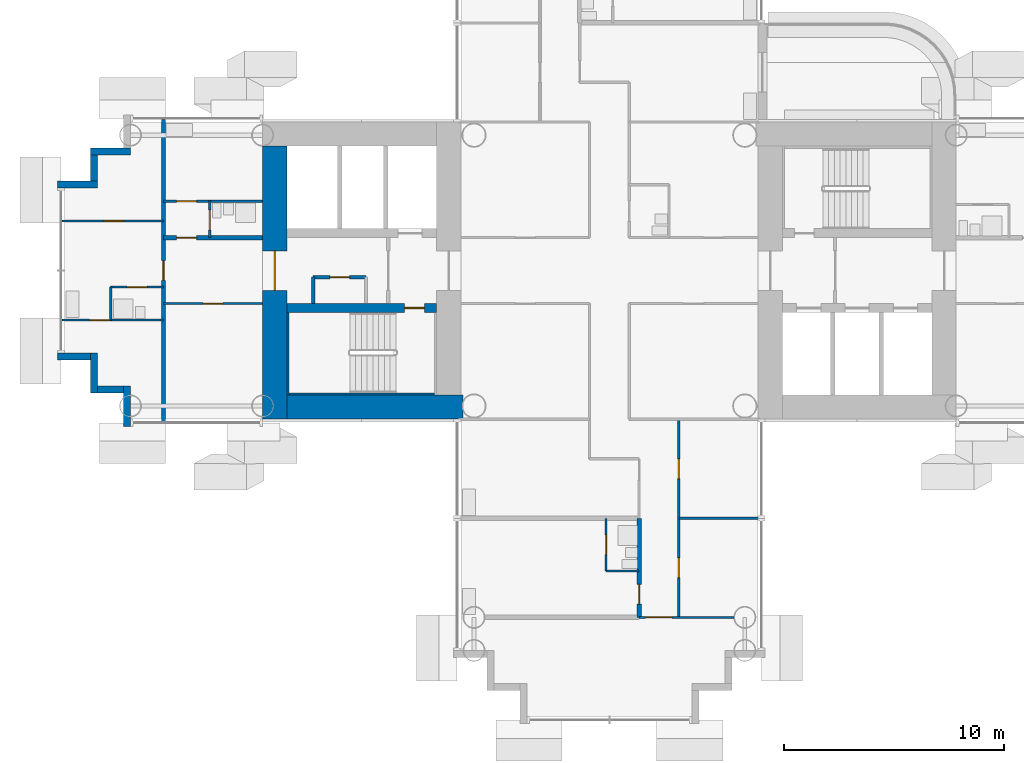
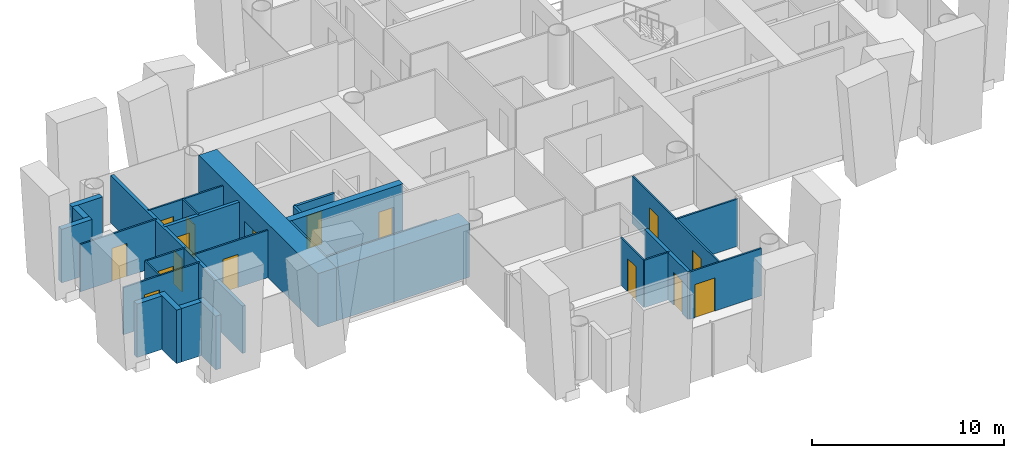
# One storey, part 10 of 23: 29 walls, 16 doors, 16 openings.
"""IFC4 building model written with IfcOpenShell, lengths in metres."""

import ifcopenshell
import ifcopenshell.guid

model = None  # the IFC model being written
_history = None  # IfcOwnerHistory: only IFC2X3 demands one
_inside = {}  # id of a spatial element -> (the spatial element, [elements in it])
_under = {}  # id of a project, library or spatial element -> (it, [spatial elements below it])
_declared = {}  # id of a project -> (the project, [libraries it declares])
_typed = {}  # id of a type object -> (the type object, [elements of that type])
_made_of = {}  # id of a material, layer set ... -> (it, [elements and type objects made of it])


def new_model(schema):
    """Start an empty IFC model of exactly this schema.

    Asked for "IFC4X3", IfcOpenShell would pick the latest addendum, in which some entities
    have other attributes; the version numbers below select the first issue.
    IFC2X3 requires an IfcOwnerHistory on every rooted entity: one is made here for all.
    """
    global model, _history
    if schema == "IFC4X3":
        model = ifcopenshell.file(schema_version=(4, 3, 0, 0))
    else:
        model = ifcopenshell.file(schema=schema)
    _inside.clear()
    _under.clear()
    _declared.clear()
    _typed.clear()
    _made_of.clear()
    _history = None
    if model.schema == "IFC2X3":
        org = make("IfcOrganization", Name="unknown")
        user = make(
            "IfcPersonAndOrganization",
            ThePerson=make("IfcPerson", FamilyName="unknown"),
            TheOrganization=org,
        )
        app = make(
            "IfcApplication",
            ApplicationDeveloper=org,
            Version="unknown",
            ApplicationFullName="unknown",
            ApplicationIdentifier="unknown",
        )
        _history = make(
            "IfcOwnerHistory",
            OwningUser=user,
            OwningApplication=app,
            ChangeAction="ADDED",
            CreationDate=0,
        )
    return model


def make(cls, **values):
    """One entity of the class cls with the attributes given. An attribute that is None is left unset."""
    return model.create_entity(
        cls, **{name: value for name, value in values.items() if value is not None}
    )


def rooted(cls, **values):
    """An entity with a GlobalId (a new one), such as an element, a storey or a relation."""
    return make(cls, GlobalId=ifcopenshell.guid.new(), OwnerHistory=_history, **values)


def si_unit(unit_type, name, prefix=None):
    """IfcSIUnit, for example si_unit("LENGTHUNIT", "METRE", prefix="MILLI")."""
    return make("IfcSIUnit", UnitType=unit_type, Prefix=prefix, Name=name)


def assignment(units):
    """IfcUnitAssignment: the units of a project."""
    return None if units is None else make("IfcUnitAssignment", Units=units)


def point(xyz):
    """IfcCartesianPoint."""
    return None if xyz is None else make("IfcCartesianPoint", Coordinates=xyz)


def direction(xyz):
    """IfcDirection."""
    return None if xyz is None else make("IfcDirection", DirectionRatios=xyz)


def frame(location, z_axis=None, x_axis=None):
    """IfcAxis2Placement3D, a coordinate frame: its origin and axes. An axis left out is left unset."""
    return make(
        "IfcAxis2Placement3D",
        Location=point(location),
        Axis=direction(z_axis),
        RefDirection=direction(x_axis),
    )


def frame_2d(location, x_axis=None):
    """IfcAxis2Placement2D, a coordinate frame in the plane: its origin and x axis."""
    return make(
        "IfcAxis2Placement2D", Location=point(location), RefDirection=direction(x_axis)
    )


def origin():
    """The frame at (0, 0, 0) with its axes left unset."""
    return frame((0.0, 0.0, 0.0))


def place(relative_to, where):
    """IfcLocalPlacement: puts the frame where relative to a parent placement (None: the world)."""
    return make(
        "IfcLocalPlacement", PlacementRelTo=relative_to, RelativePlacement=where
    )


def context(
    kind, dimensions, precision=None, world=None, true_north=None, identifier=None
):
    """IfcGeometricRepresentationContext, for example the 3D "Model" context."""
    return make(
        "IfcGeometricRepresentationContext",
        ContextIdentifier=identifier,
        ContextType=kind,
        CoordinateSpaceDimension=dimensions,
        Precision=precision,
        WorldCoordinateSystem=world,
        TrueNorth=true_north,
    )


def subcontext(parent, identifier, kind, view, scale=None):
    """IfcGeometricRepresentationSubContext, for example "Body" below "Model"."""
    return make(
        "IfcGeometricRepresentationSubContext",
        ContextIdentifier=identifier,
        ContextType=kind,
        ParentContext=parent,
        TargetScale=scale,
        TargetView=view,
    )


def project(units=None, contexts=None):
    """IfcProject with its units and contexts."""
    return rooted(
        "IfcProject",
        Name="project",
        RepresentationContexts=contexts,
        UnitsInContext=assignment(units),
    )


def spatial(cls, under=None, at=None, **own):
    """A site, building, storey or space (cls), placed at a placement, below another one or the project."""
    s = rooted(cls, ObjectPlacement=at, **own)
    if under is not None:
        _under.setdefault(under.id(), (under, []))[1].append(s)
    return s


def profile(cls, at=None, kind="AREA", **sizes):
    """A parametric profile (cls). Its sizes go by their IFC names, for example OverallWidth=200.0."""
    return make(cls, ProfileType=kind, Position=at, **sizes)


def rectangle(**sizes):
    """IfcRectangleProfileDef."""
    return profile("IfcRectangleProfileDef", **sizes)


def extrude(swept, where, along, depth):
    """IfcExtrudedAreaSolid: the profile swept, set in the frame where, extruded along a direction by depth."""
    return make(
        "IfcExtrudedAreaSolid",
        SweptArea=swept,
        Position=where,
        ExtrudedDirection=direction(along),
        Depth=depth,
    )


def shape(context_of_items, identifier, shape_type, items):
    """IfcShapeRepresentation: the items that make up one representation, for example the "Body"."""
    return make(
        "IfcShapeRepresentation",
        ContextOfItems=context_of_items,
        RepresentationIdentifier=identifier,
        RepresentationType=shape_type,
        Items=items,
    )


def material(Name=None, Category=None):
    """IfcMaterial."""
    return make("IfcMaterial", Name=Name, Category=Category)


def layer(
    of_material, thickness, ventilated=None, Name=None, Category=None, Priority=None
):
    """IfcMaterialLayer: one layer of a wall or slab, of a material (None: an air gap)."""
    return make(
        "IfcMaterialLayer",
        Material=of_material,
        LayerThickness=thickness,
        IsVentilated=ventilated,
        Name=Name,
        Category=Category,
        Priority=Priority,
    )


def layer_set(layers, Name=None):
    """IfcMaterialLayerSet."""
    return make("IfcMaterialLayerSet", MaterialLayers=layers, LayerSetName=Name)


def made_of(thing, what):
    """Note that an element or type object is made of a material, layer set ...; save() writes the relation."""
    if what is not None:
        _made_of.setdefault(what.id(), (what, []))[1].append(thing)
    return thing


def type_object(cls, material=None, **own):
    """A type object (cls), such as IfcWallType, which elements share."""
    return made_of(rooted(cls, **own), material)


def element(
    cls,
    number,
    at=None,
    inside=None,
    cuts=None,
    type_object=None,
    material=None,
    context=None,
    identifier="Body",
    shape_type=None,
    held_by="IfcProductDefinitionShape",
    body=None,
    shapes=None,
    **own,
):
    """One element of the class cls, such as IfcWall. Its Tag is "e" and its number.

    at: its placement. inside: the storey or other place that contains it. cuts: it is an
    opening in that element (IfcRelVoidsElement). A single representation is given by context,
    identifier, shape_type and body (its items); several are given by shapes. held_by: the class
    of the entity that holds the representations. save() writes the other relations.
    """
    e = rooted(cls, Tag="e%d" % number, ObjectPlacement=at, **own)
    if body is not None:
        shapes = [shape(context, identifier, shape_type, body)]
    if shapes is not None:
        e.Representation = make(held_by, Representations=shapes)
    if inside is not None:
        _inside.setdefault(inside.id(), (inside, []))[1].append(e)
    if cuts is not None:
        rooted(
            "IfcRelVoidsElement", RelatingBuildingElement=cuts, RelatedOpeningElement=e
        )
    if type_object is not None:
        _typed.setdefault(type_object.id(), (type_object, []))[1].append(e)
    return made_of(e, material)


def fill(opening, filler):
    """IfcRelFillsElement: the door or window that sits in an opening."""
    return rooted(
        "IfcRelFillsElement",
        RelatingOpeningElement=opening,
        RelatedBuildingElement=filler,
    )


def aggregate(whole, parts):
    """IfcRelAggregates: a whole, such as a stair, and the parts it consists of."""
    return rooted("IfcRelAggregates", RelatingObject=whole, RelatedObjects=parts)


def save(model, path):
    """Write the relations noted so far, then the file.

    IfcRelAggregates (storeys below a building ...), IfcRelContainedInSpatialStructure (elements
    in a storey), IfcRelDefinesByType, IfcRelAssociatesMaterial and IfcRelDeclares: one each for
    every whole, place, type object, material and project.
    """
    for whole, parts in _under.values():
        aggregate(whole, parts)
    for where, things in _inside.values():
        rooted(
            "IfcRelContainedInSpatialStructure",
            RelatedElements=things,
            RelatingStructure=where,
        )
    for kind, things in _typed.values():
        rooted("IfcRelDefinesByType", RelatedObjects=things, RelatingType=kind)
    for what, things in _made_of.values():
        rooted("IfcRelAssociatesMaterial", RelatedObjects=things, RelatingMaterial=what)
    for by, libraries in _declared.values():
        rooted("IfcRelDeclares", RelatingContext=by, RelatedDefinitions=libraries)
    model.write(path)


model = new_model("IFC4")

# Units and contexts
model_context = context("Model", 3, precision=1e-05, world=origin(), true_north=direction((0.0, 1.0)))
body_context = subcontext(model_context, "Body", "Model", "MODEL_VIEW")
ifc_project = project(units=[si_unit("LENGTHUNIT", "METRE"), si_unit("AREAUNIT", "SQUARE_METRE"), si_unit("VOLUMEUNIT", "CUBIC_METRE"), si_unit("PLANEANGLEUNIT", "RADIAN"), si_unit("MASSUNIT", "GRAM", prefix="KILO")], contexts=[model_context])

# Site, building, storey
site_placement = place(None, origin())
site = spatial("IfcSite", under=ifc_project, at=site_placement, CompositionType="ELEMENT")
building_placement = place(site_placement, origin())
building = spatial("IfcBuilding", under=site, at=building_placement, Name="Ipe Terrace Towers", CompositionType="ELEMENT")
storey_placement = place(building_placement, frame((0.0, 0.0, 51.699951171875)))
storey = spatial("IfcBuildingStorey", under=building, at=storey_placement, Name="L13", CompositionType="ELEMENT", Elevation=51.699951171875)

# Walls
ifc_material_1 = material(Name="Concrete C40/50 with buff precast cladding", Category="concrete")
ifc_layer_1 = layer(ifc_material_1, 0.320068359375)
ifc_layer_set_1 = layer_set([ifc_layer_1], Name="BUFF CLADDING WALL 320")
wall_type_1 = type_object("IfcWallType", Name="BUFF CLADDING WALL 320", PredefinedType="STANDARD", material=ifc_layer_set_1)
wall_1_placement = place(storey_placement, frame((-61.070068359375, -3.909912109375, -0.300048828125), z_axis=(0.0, 0.0, 1.0), x_axis=(1.0, 0.0, 0.0)))
element("IfcWall", 1, at=wall_1_placement, inside=storey, type_object=wall_type_1, Name="T1-W-L13-00a wall", PredefinedType="STANDARD", context=body_context, shape_type="SweptSolid", body=[
    extrude(rectangle(XDim=1.5, YDim=0.320068359375, at=frame_2d((0.75, 0.0))), origin(), (0.0, 0.0, 1.0), 3.400146484375),
])
wall_2_placement = place(storey_placement, frame((-59.409912109375, -3.75, -0.300048828125), z_axis=(0.0, 0.0, 1.0), x_axis=(0.0, -1.0, 0.0)))
element("IfcWall", 2, at=wall_2_placement, inside=storey, type_object=wall_type_1, Name="T1-W-L13-01a wall", PredefinedType="STANDARD", context=body_context, shape_type="SweptSolid", body=[
    extrude(rectangle(XDim=1.820068359375, YDim=0.320068359375, at=frame_2d((0.91015625, 0.0))), origin(), (0.0, 0.0, 1.0), 3.400146484375),
])
wall_3_placement = place(storey_placement, frame((-59.25, -5.409912109375, -0.300048828125), z_axis=(0.0, 0.0, 1.0), x_axis=(1.0, 0.0, 0.0)))
element("IfcWall", 3, at=wall_3_placement, inside=storey, type_object=wall_type_1, Name="T1-W-L13-02a wall", PredefinedType="STANDARD", context=body_context, shape_type="SweptSolid", body=[
    extrude(rectangle(XDim=1.179931640625, YDim=0.320068359375, at=frame_2d((0.58984375, 0.0))), origin(), (0.0, 0.0, 1.0), 3.400146484375),
])
for number, where, z_axis, x_axis, name in (
    (4, (-57.909912109375, -5.25, -0.300048828125), (0.0, 0.0, 1.0), (0.0, -1.0, 0.0), "T1-W-L13-03a wall"),
    (5, (-57.75, 5.409912109375, -0.300048828125), (0.0, 0.0, 1.0), (-1.0, 0.0, 0.0), "T1-W-L13-48a wall"),
):
    element("IfcWall", number, at=place(storey_placement, frame(where, z_axis=z_axis, x_axis=x_axis)), inside=storey, type_object=wall_type_1, Name=name, PredefinedType="STANDARD", context=body_context, shape_type="SweptSolid", body=[
        extrude(rectangle(XDim=1.820068359375, YDim=0.320068359375, at=frame_2d((0.91015625, 0.0))), origin(), (0.0, 0.0, 1.0), 3.400146484375),
    ])
wall_4_placement = place(storey_placement, frame((-59.409912109375, 5.25, -0.300048828125), z_axis=(0.0, 0.0, 1.0), x_axis=(0.0, -1.0, 0.0)))
element("IfcWall", 6, at=wall_4_placement, inside=storey, type_object=wall_type_1, Name="T1-W-L13-49a wall", PredefinedType="STANDARD", context=body_context, shape_type="SweptSolid", body=[
    extrude(rectangle(XDim=1.179931640625, YDim=0.320068359375, at=frame_2d((0.58984375, 0.0))), origin(), (0.0, 0.0, 1.0), 3.400146484375),
])
wall_5_placement = place(storey_placement, frame((-59.25, 3.909912109375, -0.300048828125), z_axis=(0.0, 0.0, 1.0), x_axis=(-1.0, 0.0, 0.0)))
element("IfcWall", 7, at=wall_5_placement, inside=storey, type_object=wall_type_1, Name="T1-W-L13-50a wall", PredefinedType="STANDARD", context=body_context, shape_type="SweptSolid", body=[
    extrude(rectangle(XDim=1.820068359375, YDim=0.320068359375, at=frame_2d((0.91015625, 0.0))), origin(), (0.0, 0.0, 1.0), 3.400146484375),
])
ifc_material_2 = material(Name="Gypsum board partition", Category="plasterboard")
ifc_layer_2 = layer(ifc_material_2, 0.10009765625)
ifc_layer_set_2 = layer_set([ifc_layer_2], Name="Gypsum board partition 100 mm")
wall_type_2 = type_object("IfcWallType", Name="Gypsum board partition 100 mm", PredefinedType="PARTITIONING", material=ifc_layer_set_2)
wall_6_placement = place(storey_placement, frame((-58.64990234375, -2.25, 0.0), z_axis=(0.0, 0.0, 1.0), x_axis=(0.0, 1.0, 0.0)))
element("IfcWall", 8, at=wall_6_placement, inside=storey, type_object=wall_type_2, Name="Gypsum board partition T1 L13 W01", PredefinedType="PARTITIONING", context=body_context, shape_type="SweptSolid", body=[
    extrude(rectangle(XDim=1.5, YDim=0.10009765625, at=frame_2d((0.75, 0.0))), origin(), (0.0, 0.0, 1.0), 3.0),
])

# Wall, opening, door
wall_7_placement = place(storey_placement, frame((-54.14990234375, 1.5, 0.0), z_axis=(0.0, 0.0, 1.0), x_axis=(0.0, 1.0, 0.0)))
wall_7 = element("IfcWall", 9, at=wall_7_placement, inside=storey, type_object=wall_type_2, Name="Gypsum board partition T1 L13 W03", PredefinedType="PARTITIONING", context=body_context, shape_type="SweptSolid", body=[
    extrude(rectangle(XDim=1.64990234375, YDim=0.10009765625, at=frame_2d((0.824951171875, 0.0))), origin(), (0.0, 0.0, 1.0), 3.0),
])
opening_1_placement = place(wall_7_placement, frame((0.35009765625, 0.0, 0.0)))
opening_1 = element("IfcOpeningElement", 10, at=opening_1_placement, cuts=wall_7, Name="Opening T1-Z1C-25", PredefinedType="OPENING", context=body_context, shape_type="SweptSolid", body=[
    extrude(rectangle(XDim=0.89990234375, YDim=2.10009765625, at=frame_2d((0.449951171875, 1.050048828125))), frame((0.0, 0.06005859375, 0.0), z_axis=(0.0, -1.0, 0.0), x_axis=(1.0, 0.0, 0.0)), (0.0, 0.0, 1.0), 0.1201171875),
])
ifc_material_3 = material(Name="Timber door leaf", Category="wood")
door_type_1 = type_object("IfcDoorType", Name="Bathroom door 900 x 2100", OperationType="NOTDEFINED", PredefinedType="DOOR", material=ifc_material_3)
door_1_placement = place(opening_1_placement, origin())
door_1 = element("IfcDoor", 11, at=door_1_placement, inside=storey, type_object=door_type_1, Name="Bathroom door T1-Z1C-25", OperationType="SINGLE_SWING_LEFT", OverallHeight=2.10009765625, OverallWidth=0.89990234375, PredefinedType="DOOR", context=body_context, shape_type="SweptSolid", body=[
    extrude(rectangle(XDim=0.89990234375, YDim=2.10009765625, at=frame_2d((0.449951171875, 1.050048828125))), frame((0.0, 0.02490234375, 0.0), z_axis=(0.0, -1.0, 0.0), x_axis=(1.0, 0.0, 0.0)), (0.0, 0.0, 1.0), 0.050048828125),
])
fill(opening_1, door_1)

wall_8_placement = place(storey_placement, frame((-36.14990234375, -13.64990234375, 0.0), z_axis=(0.0, 0.0, 1.0), x_axis=(0.0, 1.0, 0.0)))
wall_8 = element("IfcWall", 12, at=wall_8_placement, inside=storey, type_object=wall_type_2, Name="Gypsum board partition T1 L13 W09", PredefinedType="PARTITIONING", context=body_context, shape_type="SweptSolid", body=[
    extrude(rectangle(XDim=2.39990234375, YDim=0.10009765625, at=frame_2d((1.199951171875, 0.0))), origin(), (0.0, 0.0, 1.0), 3.0),
])
opening_2_placement = place(wall_8_placement, frame((0.75, 0.0, 0.0)))
opening_2 = element("IfcOpeningElement", 13, at=opening_2_placement, cuts=wall_8, Name="Opening T1-Z1C-16", PredefinedType="OPENING", context=body_context, shape_type="SweptSolid", body=[
    extrude(rectangle(XDim=0.89990234375, YDim=2.10009765625, at=frame_2d((0.449951171875, 1.050048828125))), frame((0.0, 0.06005859375, 0.0), z_axis=(0.0, -1.0, 0.0), x_axis=(1.0, 0.0, 0.0)), (0.0, 0.0, 1.0), 0.1201171875),
])
door_2_placement = place(opening_2_placement, origin())
door_2 = element("IfcDoor", 14, at=door_2_placement, inside=storey, type_object=door_type_1, Name="Bathroom door T1-Z1C-16", OperationType="SINGLE_SWING_RIGHT", OverallHeight=2.10009765625, OverallWidth=0.89990234375, PredefinedType="DOOR", context=body_context, shape_type="SweptSolid", body=[
    extrude(rectangle(XDim=0.89990234375, YDim=2.10009765625, at=frame_2d((0.449951171875, 1.050048828125))), frame((0.0, 0.02490234375, 0.0), z_axis=(0.0, -1.0, 0.0), x_axis=(1.0, 0.0, 0.0)), (0.0, 0.0, 1.0), 0.050048828125),
])
fill(opening_2, door_2)

# Wall, openings, doors
wall_9_placement = place(storey_placement, frame((-32.85009765625, -15.75, 0.0), z_axis=(0.0, 0.0, 1.0), x_axis=(0.0, 1.0, 0.0)))
wall_9 = element("IfcWall", 15, at=wall_9_placement, inside=storey, type_object=wall_type_2, Name="Gypsum board partition T1 L13 W16", PredefinedType="PARTITIONING", context=body_context, shape_type="SweptSolid", body=[
    extrude(rectangle(XDim=9.0, YDim=0.10009765625, at=frame_2d((4.5, 0.0))), origin(), (0.0, 0.0, 1.0), 3.0),
])
opening_3_placement = place(wall_9_placement, frame((6.300048828125, 0.0, 0.0)))
opening_3 = element("IfcOpeningElement", 16, at=opening_3_placement, cuts=wall_9, Name="Opening T1-Z1C-12", PredefinedType="OPENING", context=body_context, shape_type="SweptSolid", body=[
    extrude(rectangle(XDim=0.89990234375, YDim=2.10009765625, at=frame_2d((0.449951171875, 1.050048828125))), frame((0.0, 0.06005859375, 0.0), z_axis=(0.0, -1.0, 0.0), x_axis=(1.0, 0.0, 0.0)), (0.0, 0.0, 1.0), 0.1201171875),
])
opening_4_placement = place(wall_9_placement, frame((1.800048828125, 0.0, 0.0)))
opening_4 = element("IfcOpeningElement", 17, at=opening_4_placement, cuts=wall_9, Name="Opening T1-Z1C-13", PredefinedType="OPENING", context=body_context, shape_type="SweptSolid", body=[
    extrude(rectangle(XDim=0.89990234375, YDim=2.10009765625, at=frame_2d((0.449951171875, 1.050048828125))), frame((0.0, 0.06005859375, 0.0), z_axis=(0.0, -1.0, 0.0), x_axis=(1.0, 0.0, 0.0)), (0.0, 0.0, 1.0), 0.1201171875),
])
ifc_material_4 = material(Name="Timber door leaf", Category="wood")
door_type_2 = type_object("IfcDoorType", Name="Lounge door 900 x 2100", OperationType="NOTDEFINED", PredefinedType="DOOR", material=ifc_material_4)
door_3_placement = place(opening_3_placement, origin())
door_3 = element("IfcDoor", 18, at=door_3_placement, inside=storey, type_object=door_type_2, Name="Lounge door T1-Z1C-12", OperationType="SINGLE_SWING_RIGHT", OverallHeight=2.10009765625, OverallWidth=0.89990234375, PredefinedType="DOOR", context=body_context, shape_type="SweptSolid", body=[
    extrude(rectangle(XDim=0.89990234375, YDim=2.10009765625, at=frame_2d((0.449951171875, 1.050048828125))), frame((0.0, 0.02490234375, 0.0), z_axis=(0.0, -1.0, 0.0), x_axis=(1.0, 0.0, 0.0)), (0.0, 0.0, 1.0), 0.050048828125),
])
fill(opening_3, door_3)
door_4_placement = place(opening_4_placement, origin())
door_4 = element("IfcDoor", 19, at=door_4_placement, inside=storey, type_object=door_type_2, Name="Lounge door T1-Z1C-13", OperationType="SINGLE_SWING_LEFT", OverallHeight=2.10009765625, OverallWidth=0.89990234375, PredefinedType="DOOR", context=body_context, shape_type="SweptSolid", body=[
    extrude(rectangle(XDim=0.89990234375, YDim=2.10009765625, at=frame_2d((0.449951171875, 1.050048828125))), frame((0.0, 0.02490234375, 0.0), z_axis=(0.0, -1.0, 0.0), x_axis=(1.0, 0.0, 0.0)), (0.0, 0.0, 1.0), 0.050048828125),
])
fill(opening_4, door_4)

# Wall, opening, door
wall_10_placement = place(storey_placement, frame((-34.64990234375, -15.75, 0.0), z_axis=(0.0, 0.0, 1.0), x_axis=(1.0, 0.0, 0.0)))
wall_10 = element("IfcWall", 20, at=wall_10_placement, inside=storey, type_object=wall_type_2, Name="Gypsum board partition T1 L13 W20", PredefinedType="PARTITIONING", context=body_context, shape_type="SweptSolid", body=[
    extrude(rectangle(XDim=4.2998046875, YDim=0.10009765625, at=frame_2d((2.14990234375, 0.0))), origin(), (0.0, 0.0, 1.0), 3.0),
])
opening_5_placement = place(wall_10_placement, frame((0.300048828125, 0.0, 0.0)))
opening_5 = element("IfcOpeningElement", 21, at=opening_5_placement, cuts=wall_10, Name="Opening T1-Z1C-17", PredefinedType="OPENING", context=body_context, shape_type="SweptSolid", body=[
    extrude(rectangle(XDim=1.199951171875, YDim=2.10009765625, at=frame_2d((0.60009765625, 1.050048828125))), frame((0.0, 0.06005859375, 0.0), z_axis=(0.0, -1.0, 0.0), x_axis=(1.0, 0.0, 0.0)), (0.0, 0.0, 1.0), 0.1201171875),
])
ifc_material_5 = material(Name="Timber door leaf", Category="wood")
door_type_3 = type_object("IfcDoorType", Name="Lounge door 1200 x 2100", OperationType="NOTDEFINED", PredefinedType="DOOR", material=ifc_material_5)
door_5_placement = place(opening_5_placement, origin())
door_5 = element("IfcDoor", 22, at=door_5_placement, inside=storey, type_object=door_type_3, Name="Lounge door T1-Z1C-17", OperationType="SINGLE_SWING_LEFT", OverallHeight=2.10009765625, OverallWidth=1.199951171875, PredefinedType="DOOR", context=body_context, shape_type="SweptSolid", body=[
    extrude(rectangle(XDim=1.199951171875, YDim=2.10009765625, at=frame_2d((0.60009765625, 1.050048828125))), frame((0.0, 0.02490234375, 0.0), z_axis=(0.0, -1.0, 0.0), x_axis=(1.0, 0.0, 0.0)), (0.0, 0.0, 1.0), 0.050048828125),
])
fill(opening_5, door_5)

# Walls
wall_11_placement = place(storey_placement, frame((-36.14990234375, -13.64990234375, 0.0), z_axis=(0.0, 0.0, 1.0), x_axis=(1.0, 0.0, 0.0)))
element("IfcWall", 23, at=wall_11_placement, inside=storey, type_object=wall_type_2, Name="Gypsum board partition T1 L13 W22", PredefinedType="PARTITIONING", context=body_context, shape_type="SweptSolid", body=[
    extrude(rectangle(XDim=1.5, YDim=0.10009765625, at=frame_2d((0.75, 0.0))), origin(), (0.0, 0.0, 1.0), 3.0),
])
wall_12_placement = place(storey_placement, frame((-32.85009765625, -11.25, 0.0), z_axis=(0.0, 0.0, 1.0), x_axis=(1.0, 0.0, 0.0)))
element("IfcWall", 24, at=wall_12_placement, inside=storey, type_object=wall_type_2, Name="Gypsum board partition T1 L13 W23", PredefinedType="PARTITIONING", context=body_context, shape_type="SweptSolid", body=[
    extrude(rectangle(XDim=3.7001953125, YDim=0.10009765625, at=frame_2d((1.85009765625, 0.0))), origin(), (0.0, 0.0, 1.0), 3.0),
])

# Wall, opening, door
wall_13_placement = place(storey_placement, frame((-60.85009765625, -2.25, 0.0), z_axis=(0.0, 0.0, 1.0), x_axis=(1.0, 0.0, 0.0)))
wall_13 = element("IfcWall", 25, at=wall_13_placement, inside=storey, type_object=wall_type_2, Name="Gypsum board partition T1 L13 W28", PredefinedType="PARTITIONING", context=body_context, shape_type="SweptSolid", body=[
    extrude(rectangle(XDim=4.60009765625, YDim=0.10009765625, at=frame_2d((2.300048828125, 0.0))), origin(), (0.0, 0.0, 1.0), 3.0),
])
opening_6_placement = place(wall_13_placement, frame((1.25, 0.0, 0.0)))
opening_6 = element("IfcOpeningElement", 26, at=opening_6_placement, cuts=wall_13, Name="Opening T1-Z1C-28", PredefinedType="OPENING", context=body_context, shape_type="SweptSolid", body=[
    extrude(rectangle(XDim=0.89990234375, YDim=2.10009765625, at=frame_2d((0.449951171875, 1.050048828125))), frame((0.0, 0.06005859375, 0.0), z_axis=(0.0, -1.0, 0.0), x_axis=(1.0, 0.0, 0.0)), (0.0, 0.0, 1.0), 0.1201171875),
])
door_6_placement = place(opening_6_placement, origin())
door_6 = element("IfcDoor", 27, at=door_6_placement, inside=storey, type_object=door_type_2, Name="Lounge door T1-Z1C-28", OperationType="SINGLE_SWING_LEFT", OverallHeight=2.10009765625, OverallWidth=0.89990234375, PredefinedType="DOOR", context=body_context, shape_type="SweptSolid", body=[
    extrude(rectangle(XDim=0.89990234375, YDim=2.10009765625, at=frame_2d((0.449951171875, 1.050048828125))), frame((0.0, 0.02490234375, 0.0), z_axis=(0.0, -1.0, 0.0), x_axis=(1.0, 0.0, 0.0)), (0.0, 0.0, 1.0), 0.050048828125),
])
fill(opening_6, door_6)

wall_14_placement = place(storey_placement, frame((-56.25, -1.5, 0.0), z_axis=(0.0, 0.0, 1.0), x_axis=(1.0, 0.0, 0.0)))
wall_14 = element("IfcWall", 28, at=wall_14_placement, inside=storey, type_object=wall_type_2, Name="Gypsum board partition T1 L13 W29", PredefinedType="PARTITIONING", context=body_context, shape_type="SweptSolid", body=[
    extrude(rectangle(XDim=4.5, YDim=0.10009765625, at=frame_2d((2.25, 0.0))), origin(), (0.0, 0.0, 1.0), 3.0),
])
opening_7_placement = place(wall_14_placement, frame((1.800048828125, 0.0, 0.0)))
opening_7 = element("IfcOpeningElement", 29, at=opening_7_placement, cuts=wall_14, Name="Opening T1-Z1C-22", PredefinedType="OPENING", context=body_context, shape_type="SweptSolid", body=[
    extrude(rectangle(XDim=0.89990234375, YDim=2.10009765625, at=frame_2d((0.449951171875, 1.050048828125))), frame((0.0, 0.06005859375, 0.0), z_axis=(0.0, -1.0, 0.0), x_axis=(1.0, 0.0, 0.0)), (0.0, 0.0, 1.0), 0.1201171875),
])
door_7_placement = place(opening_7_placement, origin())
door_7 = element("IfcDoor", 30, at=door_7_placement, inside=storey, type_object=door_type_2, Name="Lounge door T1-Z1C-22", OperationType="SINGLE_SWING_RIGHT", OverallHeight=2.10009765625, OverallWidth=0.89990234375, PredefinedType="DOOR", context=body_context, shape_type="SweptSolid", body=[
    extrude(rectangle(XDim=0.89990234375, YDim=2.10009765625, at=frame_2d((0.449951171875, 1.050048828125))), frame((0.0, 0.02490234375, 0.0), z_axis=(0.0, -1.0, 0.0), x_axis=(1.0, 0.0, 0.0)), (0.0, 0.0, 1.0), 0.050048828125),
])
fill(opening_7, door_7)

wall_15_placement = place(storey_placement, frame((-58.64990234375, -0.75, 0.0), z_axis=(0.0, 0.0, 1.0), x_axis=(1.0, 0.0, 0.0)))
wall_15 = element("IfcWall", 31, at=wall_15_placement, inside=storey, type_object=wall_type_2, Name="Gypsum board partition T1 L13 W33", PredefinedType="PARTITIONING", context=body_context, shape_type="SweptSolid", body=[
    extrude(rectangle(XDim=2.39990234375, YDim=0.10009765625, at=frame_2d((1.199951171875, 0.0))), origin(), (0.0, 0.0, 1.0), 3.0),
])
opening_8_placement = place(wall_15_placement, frame((0.75, 0.0, 0.0)))
opening_8 = element("IfcOpeningElement", 32, at=opening_8_placement, cuts=wall_15, Name="Opening T1-Z1C-26", PredefinedType="OPENING", context=body_context, shape_type="SweptSolid", body=[
    extrude(rectangle(XDim=0.89990234375, YDim=2.10009765625, at=frame_2d((0.449951171875, 1.050048828125))), frame((0.0, 0.06005859375, 0.0), z_axis=(0.0, -1.0, 0.0), x_axis=(1.0, 0.0, 0.0)), (0.0, 0.0, 1.0), 0.1201171875),
])
door_8_placement = place(opening_8_placement, origin())
door_8 = element("IfcDoor", 33, at=door_8_placement, inside=storey, type_object=door_type_1, Name="Bathroom door T1-Z1C-26", OperationType="SINGLE_SWING_RIGHT", OverallHeight=2.10009765625, OverallWidth=0.89990234375, PredefinedType="DOOR", context=body_context, shape_type="SweptSolid", body=[
    extrude(rectangle(XDim=0.89990234375, YDim=2.10009765625, at=frame_2d((0.449951171875, 1.050048828125))), frame((0.0, 0.02490234375, 0.0), z_axis=(0.0, -1.0, 0.0), x_axis=(1.0, 0.0, 0.0)), (0.0, 0.0, 1.0), 0.050048828125),
])
fill(opening_8, door_8)

wall_16_placement = place(storey_placement, frame((-60.85009765625, 2.25, 0.0), z_axis=(0.0, 0.0, 1.0), x_axis=(1.0, 0.0, 0.0)))
wall_16 = element("IfcWall", 34, at=wall_16_placement, inside=storey, type_object=wall_type_2, Name="Gypsum board partition T1 L13 W38", PredefinedType="PARTITIONING", context=body_context, shape_type="SweptSolid", body=[
    extrude(rectangle(XDim=4.60009765625, YDim=0.10009765625, at=frame_2d((2.300048828125, 0.0))), origin(), (0.0, 0.0, 1.0), 3.0),
])
opening_9_placement = place(wall_16_placement, frame((1.89990234375, 0.0, 0.0)))
opening_9 = element("IfcOpeningElement", 35, at=opening_9_placement, cuts=wall_16, Name="Opening T1-Z1C-29", PredefinedType="OPENING", context=body_context, shape_type="SweptSolid", body=[
    extrude(rectangle(XDim=0.89990234375, YDim=2.10009765625, at=frame_2d((0.449951171875, 1.050048828125))), frame((0.0, 0.06005859375, 0.0), z_axis=(0.0, -1.0, 0.0), x_axis=(1.0, 0.0, 0.0)), (0.0, 0.0, 1.0), 0.1201171875),
])
door_9_placement = place(opening_9_placement, origin())
door_9 = element("IfcDoor", 36, at=door_9_placement, inside=storey, type_object=door_type_2, Name="Lounge door T1-Z1C-29", OperationType="SINGLE_SWING_LEFT", OverallHeight=2.10009765625, OverallWidth=0.89990234375, PredefinedType="DOOR", context=body_context, shape_type="SweptSolid", body=[
    extrude(rectangle(XDim=0.89990234375, YDim=2.10009765625, at=frame_2d((0.449951171875, 1.050048828125))), frame((0.0, 0.02490234375, 0.0), z_axis=(0.0, -1.0, 0.0), x_axis=(1.0, 0.0, 0.0)), (0.0, 0.0, 1.0), 0.050048828125),
])
fill(opening_9, door_9)

wall_17_placement = place(storey_placement, frame((-56.25, 3.14990234375, 0.0), z_axis=(0.0, 0.0, 1.0), x_axis=(1.0, 0.0, 0.0)))
wall_17 = element("IfcWall", 37, at=wall_17_placement, inside=storey, type_object=wall_type_2, Name="Gypsum board partition T1 L13 W40", PredefinedType="PARTITIONING", context=body_context, shape_type="SweptSolid", body=[
    extrude(rectangle(XDim=4.5, YDim=0.10009765625, at=frame_2d((2.25, 0.0))), origin(), (0.0, 0.0, 1.0), 3.0),
])
opening_10_placement = place(wall_17_placement, frame((0.60009765625, 0.0, 0.0)))
opening_10 = element("IfcOpeningElement", 38, at=opening_10_placement, cuts=wall_17, Name="Opening T1-Z1C-24", PredefinedType="OPENING", context=body_context, shape_type="SweptSolid", body=[
    extrude(rectangle(XDim=0.89990234375, YDim=2.10009765625, at=frame_2d((0.449951171875, 1.050048828125))), frame((0.0, 0.06005859375, 0.0), z_axis=(0.0, -1.0, 0.0), x_axis=(1.0, 0.0, 0.0)), (0.0, 0.0, 1.0), 0.1201171875),
])
ifc_material_6 = material(Name="Timber door leaf", Category="wood")
door_type_4 = type_object("IfcDoorType", Name="Bedroom door 900 x 2100", OperationType="NOTDEFINED", PredefinedType="DOOR", material=ifc_material_6)
door_10_placement = place(opening_10_placement, origin())
door_10 = element("IfcDoor", 39, at=door_10_placement, inside=storey, type_object=door_type_4, Name="Bedroom door T1-Z1C-24", OperationType="SINGLE_SWING_RIGHT", OverallHeight=2.10009765625, OverallWidth=0.89990234375, PredefinedType="DOOR", context=body_context, shape_type="SweptSolid", body=[
    extrude(rectangle(XDim=0.89990234375, YDim=2.10009765625, at=frame_2d((0.449951171875, 1.050048828125))), frame((0.0, 0.02490234375, 0.0), z_axis=(0.0, -1.0, 0.0), x_axis=(1.0, 0.0, 0.0)), (0.0, 0.0, 1.0), 0.050048828125),
])
fill(opening_10, door_10)

ifc_material_7 = material(Name="Gypsum board partition", Category="plasterboard")
ifc_layer_3 = layer(ifc_material_7, 0.14990234375)
ifc_layer_set_3 = layer_set([ifc_layer_3], Name="Gypsum board partition 150 mm")
wall_type_3 = type_object("IfcWallType", Name="Gypsum board partition 150 mm", PredefinedType="PARTITIONING", material=ifc_layer_set_3)
wall_18_placement = place(storey_placement, frame((-47.050048828125, -0.300048828125, 0.0), z_axis=(0.0, 0.0, 1.0), x_axis=(-1.0, 0.0, 0.0)))
wall_18 = element("IfcWall", 40, at=wall_18_placement, inside=storey, type_object=wall_type_3, Name="Gypsum board partition T1 L13 t1c2-cup-n-f", PredefinedType="PARTITIONING", context=body_context, shape_type="SweptSolid", body=[
    extrude(rectangle(XDim=2.39990234375, YDim=0.14990234375, at=frame_2d((1.199951171875, 0.0))), origin(), (0.0, 0.0, 1.0), 3.0),
])
opening_11_placement = place(wall_18_placement, frame((0.75, 0.0, 0.0)))
opening_11 = element("IfcOpeningElement", 41, at=opening_11_placement, cuts=wall_18, Name="Opening T1C2-SR", PredefinedType="OPENING", context=body_context, shape_type="SweptSolid", body=[
    extrude(rectangle(XDim=0.89990234375, YDim=2.10009765625, at=frame_2d((0.449951171875, 1.050048828125))), frame((0.0, 0.0849609375, 0.0), z_axis=(0.0, -1.0, 0.0), x_axis=(1.0, 0.0, 0.0)), (0.0, 0.0, 1.0), 0.169921875),
])
ifc_material_8 = material(Name="Fire-rated timber door leaf", Category="wood")
door_type_5 = type_object("IfcDoorType", Name="Service door 900 x 2100 FD60", OperationType="NOTDEFINED", PredefinedType="DOOR", material=ifc_material_8)
door_11_placement = place(opening_11_placement, origin())
door_11 = element("IfcDoor", 42, at=door_11_placement, inside=storey, type_object=door_type_5, Name="Service door T1C2-SR", OperationType="SINGLE_SWING_LEFT", OverallHeight=2.10009765625, OverallWidth=0.89990234375, PredefinedType="DOOR", context=body_context, shape_type="SweptSolid", body=[
    extrude(rectangle(XDim=0.89990234375, YDim=2.10009765625, at=frame_2d((0.449951171875, 1.050048828125))), frame((0.0, 0.02490234375, 0.0), z_axis=(0.0, -1.0, 0.0), x_axis=(1.0, 0.0, 0.0)), (0.0, 0.0, 1.0), 0.050048828125),
])
fill(opening_11, door_11)

# Wall
wall_19_placement = place(storey_placement, frame((-49.449951171875, -0.300048828125, 0.0), z_axis=(0.0, 0.0, 1.0), x_axis=(0.0, -1.0, 0.0)))
element("IfcWall", 43, at=wall_19_placement, inside=storey, type_object=wall_type_3, Name="Gypsum board partition T1 L13 t1c2-cup-n-b", PredefinedType="PARTITIONING", context=body_context, shape_type="SweptSolid", body=[
    extrude(rectangle(XDim=1.199951171875, YDim=0.14990234375, at=frame_2d((0.60009765625, 0.0))), origin(), (0.0, 0.0, 1.0), 3.0),
])

# Wall, opening, door
ifc_material_9 = material(Name="Gypsum board party wall", Category="plasterboard")
ifc_layer_4 = layer(ifc_material_9, 0.199951171875)
ifc_layer_set_4 = layer_set([ifc_layer_4], Name="Gypsum board party wall 200 mm")
wall_type_4 = type_object("IfcWallType", Name="Gypsum board party wall 200 mm", PredefinedType="SOLIDWALL", material=ifc_layer_set_4)
wall_20_placement = place(storey_placement, frame((-56.25, -6.85009765625, 0.0), z_axis=(0.0, 0.0, 1.0), x_axis=(0.0, 1.0, 0.0)))
wall_20 = element("IfcWall", 44, at=wall_20_placement, inside=storey, type_object=wall_type_4, Name="Gypsum board party wall T1 L13 W02", PredefinedType="SOLIDWALL", context=body_context, shape_type="SweptSolid", body=[
    extrude(rectangle(XDim=13.7001953125, YDim=0.199951171875, at=frame_2d((6.85009765625, 0.0))), origin(), (0.0, 0.0, 1.0), 3.0),
])
opening_12_placement = place(wall_20_placement, frame((6.39990234375, 0.0, 0.0)))
opening_12 = element("IfcOpeningElement", 45, at=opening_12_placement, cuts=wall_20, Name="Opening T1-Z1C-27", PredefinedType="OPENING", context=body_context, shape_type="SweptSolid", body=[
    extrude(rectangle(XDim=0.89990234375, YDim=2.10009765625, at=frame_2d((0.449951171875, 1.050048828125))), frame((0.0, 0.10986328125, 0.0), z_axis=(0.0, -1.0, 0.0), x_axis=(1.0, 0.0, 0.0)), (0.0, 0.0, 1.0), 0.219970703125),
])
ifc_material_10 = material(Name="Fire-rated timber door leaf", Category="wood")
door_type_6 = type_object("IfcDoorType", Name="Flat entrance door 900 x 2100 FD30S", OperationType="NOTDEFINED", PredefinedType="DOOR", material=ifc_material_10)
door_12_placement = place(opening_12_placement, origin())
door_12 = element("IfcDoor", 46, at=door_12_placement, inside=storey, type_object=door_type_6, Name="Flat entrance door T1-Z1C-27", OperationType="SINGLE_SWING_LEFT", OverallHeight=2.10009765625, OverallWidth=0.89990234375, PredefinedType="DOOR", context=body_context, shape_type="SweptSolid", body=[
    extrude(rectangle(XDim=0.89990234375, YDim=2.10009765625, at=frame_2d((0.449951171875, 1.050048828125))), frame((0.0, 0.02490234375, 0.0), z_axis=(0.0, -1.0, 0.0), x_axis=(1.0, 0.0, 0.0)), (0.0, 0.0, 1.0), 0.050048828125),
])
fill(opening_12, door_12)

wall_21_placement = place(storey_placement, frame((-34.64990234375, -15.75, 0.0), z_axis=(0.0, 0.0, 1.0), x_axis=(0.0, 1.0, 0.0)))
wall_21 = element("IfcWall", 47, at=wall_21_placement, inside=storey, type_object=wall_type_4, Name="Gypsum board party wall T1 L13 W14", PredefinedType="SOLIDWALL", context=body_context, shape_type="SweptSolid", body=[
    extrude(rectangle(XDim=4.5, YDim=0.199951171875, at=frame_2d((2.25, 0.0))), origin(), (0.0, 0.0, 1.0), 3.0),
])
opening_13_placement = place(wall_21_placement, frame((0.60009765625, 0.0, 0.0)))
opening_13 = element("IfcOpeningElement", 48, at=opening_13_placement, cuts=wall_21, Name="Opening T1-Z1C-15", PredefinedType="OPENING", context=body_context, shape_type="SweptSolid", body=[
    extrude(rectangle(XDim=0.89990234375, YDim=2.10009765625, at=frame_2d((0.449951171875, 1.050048828125))), frame((0.0, 0.10986328125, 0.0), z_axis=(0.0, -1.0, 0.0), x_axis=(1.0, 0.0, 0.0)), (0.0, 0.0, 1.0), 0.219970703125),
])
door_13_placement = place(opening_13_placement, origin())
door_13 = element("IfcDoor", 49, at=door_13_placement, inside=storey, type_object=door_type_6, Name="Flat entrance door T1-Z1C-15", OperationType="SINGLE_SWING_RIGHT", OverallHeight=2.10009765625, OverallWidth=0.89990234375, PredefinedType="DOOR", context=body_context, shape_type="SweptSolid", body=[
    extrude(rectangle(XDim=0.89990234375, YDim=2.10009765625, at=frame_2d((0.449951171875, 1.050048828125))), frame((0.0, 0.02490234375, 0.0), z_axis=(0.0, -1.0, 0.0), x_axis=(1.0, 0.0, 0.0)), (0.0, 0.0, 1.0), 0.050048828125),
])
fill(opening_13, door_13)

wall_22_placement = place(storey_placement, frame((-56.25, 1.5, 0.0), z_axis=(0.0, 0.0, 1.0), x_axis=(1.0, 0.0, 0.0)))
wall_22 = element("IfcWall", 50, at=wall_22_placement, inside=storey, type_object=wall_type_4, Name="Gypsum board party wall T1 L13 W36", PredefinedType="SOLIDWALL", context=body_context, shape_type="SweptSolid", body=[
    extrude(rectangle(XDim=4.5, YDim=0.199951171875, at=frame_2d((2.25, 0.0))), origin(), (0.0, 0.0, 1.0), 3.0),
])
opening_14_placement = place(wall_22_placement, frame((0.60009765625, 0.0, 0.0)))
opening_14 = element("IfcOpeningElement", 51, at=opening_14_placement, cuts=wall_22, Name="Opening T1-Z1C-23", PredefinedType="OPENING", context=body_context, shape_type="SweptSolid", body=[
    extrude(rectangle(XDim=0.89990234375, YDim=2.10009765625, at=frame_2d((0.449951171875, 1.050048828125))), frame((0.0, 0.10986328125, 0.0), z_axis=(0.0, -1.0, 0.0), x_axis=(1.0, 0.0, 0.0)), (0.0, 0.0, 1.0), 0.219970703125),
])
door_14_placement = place(opening_14_placement, origin())
door_14 = element("IfcDoor", 52, at=door_14_placement, inside=storey, type_object=door_type_6, Name="Flat entrance door T1-Z1C-23", OperationType="SINGLE_SWING_RIGHT", OverallHeight=2.10009765625, OverallWidth=0.89990234375, PredefinedType="DOOR", context=body_context, shape_type="SweptSolid", body=[
    extrude(rectangle(XDim=0.89990234375, YDim=2.10009765625, at=frame_2d((0.449951171875, 1.050048828125))), frame((0.0, 0.02490234375, 0.0), z_axis=(0.0, -1.0, 0.0), x_axis=(1.0, 0.0, 0.0)), (0.0, 0.0, 1.0), 0.050048828125),
])
fill(opening_14, door_14)

# Walls
ifc_material_11 = material(Name="Concrete C60/75", Category="concrete")
ifc_layer_5 = layer(ifc_material_11, 0.10009765625)
ifc_layer_set_5 = layer_set([ifc_layer_5], Name="RW100 CORE INFILL WALL 100 C60-75")
wall_type_5 = type_object("IfcWallType", Name="RW100 CORE INFILL WALL 100 C60-75", PredefinedType="SHEAR", material=ifc_layer_set_5)
wall_23_placement = place(storey_placement, frame((-50.60009765625, -1.89990234375, 0.0), z_axis=(0.0, 0.0, 1.0), x_axis=(0.0, -1.0, 0.0)))
element("IfcWall", 53, at=wall_23_placement, inside=storey, type_object=wall_type_5, Name="Core infill wall T1-C2-far", PredefinedType="SHEAR", context=body_context, shape_type="SweptSolid", body=[
    extrude(rectangle(XDim=3.75, YDim=0.10009765625, at=frame_2d((1.875, 0.0))), origin(), (0.0, 0.0, 1.0), 3.400146484375),
])
wall_24_placement = place(storey_placement, frame((-43.949951171875, -5.60009765625, 0.0), z_axis=(0.0, 0.0, 1.0), x_axis=(-1.0, 0.0, 0.0)))
element("IfcWall", 54, at=wall_24_placement, inside=storey, type_object=wall_type_5, Name="Core infill wall T1-C2-back", PredefinedType="SHEAR", context=body_context, shape_type="SweptSolid", body=[
    extrude(rectangle(XDim=6.60009765625, YDim=0.10009765625, at=frame_2d((3.300048828125, 0.0))), origin(), (0.0, 0.0, 1.0), 3.400146484375),
])
ifc_material_12 = material(Name="Concrete C60/75", Category="concrete")
ifc_layer_6 = layer(ifc_material_12, 1.10009765625)
ifc_layer_set_6 = layer_set([ifc_layer_6], Name="RW1100 CORE WALL 1100 C60-75")
wall_type_6 = type_object("IfcWallType", Name="RW1100 CORE WALL 1100 C60-75", PredefinedType="SHEAR", material=ifc_layer_set_6)
wall_25_placement = place(storey_placement, frame((-50.64990234375, -6.199951171875, 0.0), z_axis=(0.0, 0.0, 1.0), x_axis=(1.0, 0.0, 0.0)))
element("IfcWall", 55, at=wall_25_placement, inside=storey, type_object=wall_type_6, Name="Core wall T1-C2-Z1-W01", PredefinedType="SHEAR", context=body_context, shape_type="SweptSolid", body=[
    extrude(rectangle(XDim=7.997802734375, YDim=1.10009765625, at=frame_2d((3.9990234375, 0.0))), origin(), (0.0, 0.0, 1.0), 3.400146484375),
])

# Wall, opening, door
wall_26_placement = place(storey_placement, frame((-51.199951171875, 5.64990234375, 0.0), z_axis=(0.0, 0.0, 1.0), x_axis=(0.0, -1.0, 0.0)))
wall_26 = element("IfcWall", 56, at=wall_26_placement, inside=storey, type_object=wall_type_6, Name="Core wall T1-C2-Z1-W04", PredefinedType="SHEAR", context=body_context, shape_type="SweptSolid", body=[
    extrude(rectangle(XDim=12.39990234375, YDim=1.10009765625, at=frame_2d((6.199951171875, 0.0))), origin(), (0.0, 0.0, 1.0), 3.400146484375),
])
opening_15_placement = place(wall_26_placement, frame((4.75, 0.0, 0.0)))
opening_15 = element("IfcOpeningElement", 57, at=opening_15_placement, cuts=wall_26, Name="Opening T1C2-FD", PredefinedType="OPENING", context=body_context, shape_type="SweptSolid", body=[
    extrude(rectangle(XDim=1.800048828125, YDim=2.10009765625, at=frame_2d((0.89990234375, 1.050048828125))), frame((0.0, 0.56005859375, 0.0), z_axis=(0.0, -1.0, 0.0), x_axis=(1.0, 0.0, 0.0)), (0.0, 0.0, 1.0), 1.1201171875),
])
ifc_material_13 = material(Name="Fire-rated timber door leaf", Category="wood")
door_type_7 = type_object("IfcDoorType", Name="Fire door 1800 x 2100 FD30S", OperationType="NOTDEFINED", PredefinedType="DOOR", material=ifc_material_13)
door_15_placement = place(opening_15_placement, origin())
door_15 = element("IfcDoor", 58, at=door_15_placement, inside=storey, type_object=door_type_7, Name="Fire door T1C2-FD", OperationType="SINGLE_SWING_LEFT", OverallHeight=2.10009765625, OverallWidth=1.800048828125, PredefinedType="DOOR", context=body_context, shape_type="SweptSolid", body=[
    extrude(rectangle(XDim=1.800048828125, YDim=2.10009765625, at=frame_2d((0.89990234375, 1.050048828125))), frame((0.0, 0.02490234375, 0.0), z_axis=(0.0, -1.0, 0.0), x_axis=(1.0, 0.0, 0.0)), (0.0, 0.0, 1.0), 0.050048828125),
])
fill(opening_15, door_15)

ifc_material_14 = material(Name="Concrete C60/75", Category="concrete")
ifc_layer_7 = layer(ifc_material_14, 0.39990234375)
ifc_layer_set_7 = layer_set([ifc_layer_7], Name="RW400 CORE SPINE WALL 400 C60-75")
wall_type_7 = type_object("IfcWallType", Name="RW400 CORE SPINE WALL 400 C60-75", PredefinedType="SHEAR", material=ifc_layer_set_7)
wall_27_placement = place(storey_placement, frame((-50.64990234375, -1.699951171875, 0.0), z_axis=(0.0, 0.0, 1.0), x_axis=(1.0, 0.0, 0.0)))
wall_27 = element("IfcWall", 59, at=wall_27_placement, inside=storey, type_object=wall_type_7, Name="Core spine wall T1-C2-Z1-SW1", PredefinedType="SHEAR", context=body_context, shape_type="SweptSolid", body=[
    extrude(rectangle(XDim=6.7998046875, YDim=0.39990234375, at=frame_2d((3.39990234375, 0.0))), origin(), (0.0, 0.0, 1.0), 3.400146484375),
])
opening_16_placement = place(wall_27_placement, frame((5.35009765625, 0.0, 0.0)))
opening_16 = element("IfcOpeningElement", 60, at=opening_16_placement, cuts=wall_27, Name="Opening T1C2-SD", PredefinedType="OPENING", context=body_context, shape_type="SweptSolid", body=[
    extrude(rectangle(XDim=0.89990234375, YDim=2.10009765625, at=frame_2d((0.449951171875, 1.050048828125))), frame((0.0, 0.2099609375, 0.0), z_axis=(0.0, -1.0, 0.0), x_axis=(1.0, 0.0, 0.0)), (0.0, 0.0, 1.0), 0.419921875),
])
ifc_material_15 = material(Name="Fire-rated timber door leaf", Category="wood")
door_type_8 = type_object("IfcDoorType", Name="Stair door 900 x 2100 FD60", OperationType="NOTDEFINED", PredefinedType="DOOR", material=ifc_material_15)
door_16_placement = place(opening_16_placement, origin())
door_16 = element("IfcDoor", 61, at=door_16_placement, inside=storey, type_object=door_type_8, Name="Stair door T1C2-SD", OperationType="SINGLE_SWING_RIGHT", OverallHeight=2.10009765625, OverallWidth=0.89990234375, PredefinedType="DOOR", context=body_context, shape_type="SweptSolid", body=[
    extrude(rectangle(XDim=0.89990234375, YDim=2.10009765625, at=frame_2d((0.449951171875, 1.050048828125))), frame((0.0, 0.02490234375, 0.0), z_axis=(0.0, -1.0, 0.0), x_axis=(1.0, 0.0, 0.0)), (0.0, 0.0, 1.0), 0.050048828125),
])
fill(opening_16, door_16)

save(model, "model.ifc")
